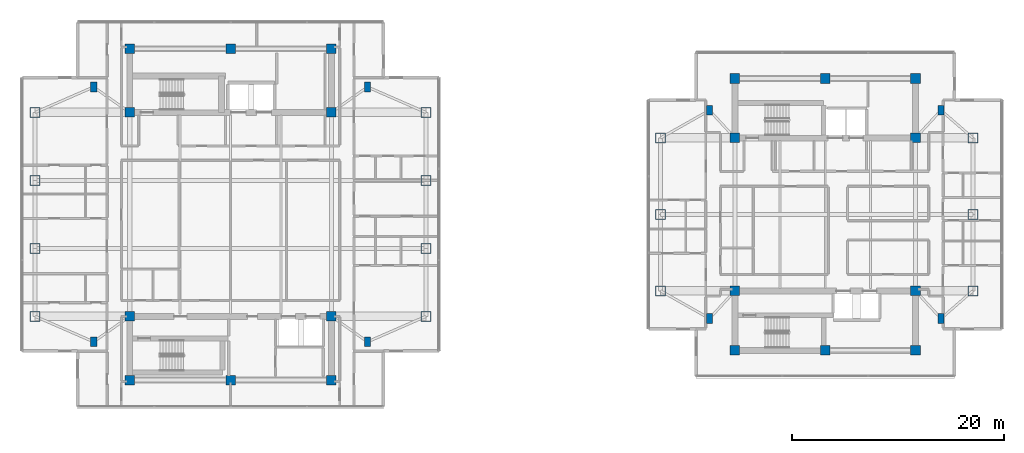
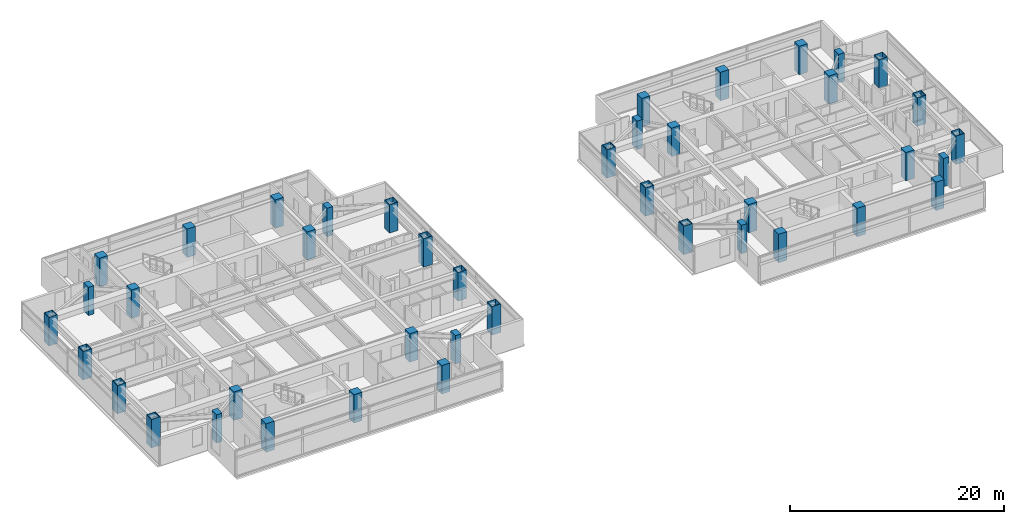
# One storey, part 1 of 24: 42 columns.
"""IFC4 building model written with IfcOpenShell, lengths in metres."""

from ifc_helpers import new_model, si_unit, direction, frame, origin, origin_2d, place, context, subcontext, project, spatial, rectangle, hollow_rectangle, extrude, material, material_profile, profile_set, type_object, element, save


model = new_model("IFC4")

# Units and contexts
model_context = context("Model", 3, precision=1e-05, world=origin(), true_north=direction((0.0, 1.0)))
body_context = subcontext(model_context, "Body", "Model", "MODEL_VIEW")
ifc_project = project(units=[si_unit("LENGTHUNIT", "METRE"), si_unit("AREAUNIT", "SQUARE_METRE"), si_unit("VOLUMEUNIT", "CUBIC_METRE"), si_unit("PLANEANGLEUNIT", "RADIAN"), si_unit("MASSUNIT", "GRAM", prefix="KILO")], contexts=[model_context])

# Site, building, storey
site_placement = place(None, origin())
site = spatial("IfcSite", under=ifc_project, at=site_placement, CompositionType="ELEMENT")
building_placement = place(site_placement, origin())
building = spatial("IfcBuilding", under=site, at=building_placement, Name="Mirazonda Arch Towers", CompositionType="ELEMENT")
storey_placement = place(building_placement, frame((0.0, 0.0, 186.89990234375)))
storey = spatial("IfcBuildingStorey", under=building, at=storey_placement, Name="L53", CompositionType="ELEMENT", Elevation=186.89990234375)

# Columns
ifc_material_1 = material(Name="Concrete C50/60", Category="concrete")
ifc_material_profile_1 = material_profile(ifc_material_1, rectangle(XDim=0.89990234375, YDim=0.89990234375, at=origin_2d()), Name="RC900x900")
ifc_profile_set_1 = profile_set([ifc_material_profile_1], Name="Concrete C50/60")
column_type_1 = type_object("IfcColumnType", Name="COL-INT-RC900x900", PredefinedType="COLUMN", material=ifc_profile_set_1)
for number, where, z_axis, x_axis, name in (
    (1, (11.0, 12.39990234375, 0.0), (0.0, 0.0, 1.0), (1.0, 0.0, 0.0), "L53 T1 Core Column 01"),
    (2, (20.5, 12.39990234375, 0.0), (0.0, 0.0, 1.0), (1.0, 0.0, 0.0), "L53 T1 Core Column 02"),
    (3, (30.0, 12.39990234375, 0.0), (0.0, 0.0, 1.0), (1.0, 0.0, 0.0), "L53 T1 Core Column 03"),
    (4, (11.0, 18.39990234375, 0.0), (0.0, 0.0, 1.0), (1.0, 0.0, 0.0), "L53 T1 Core Column 04"),
    (5, (30.0, 18.39990234375, 0.0), (0.0, 0.0, 1.0), (1.0, 0.0, 0.0), "L53 T1 Core Column 05"),
    (6, (11.0, 37.60009765625, 0.0), (0.0, 0.0, 1.0), (1.0, 0.0, 0.0), "L53 T1 Core Column 06"),
    (7, (30.0, 37.60009765625, 0.0), (0.0, 0.0, 1.0), (1.0, 0.0, 0.0), "L53 T1 Core Column 07"),
    (8, (11.0, 43.60009765625, 0.0), (0.0, 0.0, 1.0), (1.0, 0.0, 0.0), "L53 T1 Core Column 08"),
    (9, (20.5, 43.60009765625, 0.0), (0.0, 0.0, 1.0), (1.0, 0.0, 0.0), "L53 T1 Core Column 09"),
    (10, (30.0, 43.60009765625, 0.0), (0.0, 0.0, 1.0), (1.0, 0.0, 0.0), "L53 T1 Core Column 10"),
    (11, (68.0, 15.199951171875, 0.0), (0.0, 0.0, 1.0), (1.0, 0.0, 0.0), "L53 T2 Core Column 01"),
    (12, (76.5, 15.199951171875, 0.0), (0.0, 0.0, 1.0), (1.0, 0.0, 0.0), "L53 T2 Core Column 02"),
    (13, (85.0, 15.199951171875, 0.0), (0.0, 0.0, 1.0), (1.0, 0.0, 0.0), "L53 T2 Core Column 03"),
    (14, (68.0, 20.800048828125, 0.0), (0.0, 0.0, 1.0), (1.0, 0.0, 0.0), "L53 T2 Core Column 04"),
    (15, (85.0, 20.800048828125, 0.0), (0.0, 0.0, 1.0), (1.0, 0.0, 0.0), "L53 T2 Core Column 05"),
    (16, (68.0, 35.199951171875, 0.0), (0.0, 0.0, 1.0), (1.0, 0.0, 0.0), "L53 T2 Core Column 06"),
    (17, (85.0, 35.199951171875, 0.0), (0.0, 0.0, 1.0), (1.0, 0.0, 0.0), "L53 T2 Core Column 07"),
    (18, (68.0, 40.800048828125, 0.0), (0.0, 0.0, 1.0), (1.0, 0.0, 0.0), "L53 T2 Core Column 08"),
    (19, (76.5, 40.800048828125, 0.0), (0.0, 0.0, 1.0), (1.0, 0.0, 0.0), "L53 T2 Core Column 09"),
    (20, (85.0, 40.800048828125, 0.0), (0.0, 0.0, 1.0), (1.0, 0.0, 0.0), "L53 T2 Core Column 10"),
):
    element("IfcColumn", number, at=place(storey_placement, frame(where, z_axis=z_axis, x_axis=x_axis)), inside=storey, type_object=column_type_1, Name=name, PredefinedType="COLUMN", context=body_context, shape_type="SweptSolid", body=[
        extrude(rectangle(XDim=0.89990234375, YDim=0.89990234375, at=origin_2d()), origin(), (0.0, 0.0, 1.0), 3.25),
    ])
ifc_material_2 = material(Name="Steel ASTM A572 Grade 50", Category="steel")
ifc_material_profile_2 = material_profile(ifc_material_2, hollow_rectangle(XDim=0.949951171875, YDim=0.949951171875, WallThickness=0.050048828125, at=origin_2d()), Name="BOX950x950x50")
ifc_profile_set_2 = profile_set([ifc_material_profile_2], Name="Steel ASTM A572 Grade 50")
column_type_2 = type_object("IfcColumnType", Name="MCOL-EXT-BOX950x950x50", PredefinedType="COLUMN", material=ifc_profile_set_2)
for number, where, z_axis, x_axis, name in (
    (21, (2.10009765625, 18.39990234375, 0.0), (0.0, 0.0, 1.0), (1.0, 0.0, 0.0), "L53 T1 Composite Mega-Column 01"),
    (22, (2.10009765625, 24.800048828125, 0.0), (0.0, 0.0, 1.0), (1.0, 0.0, 0.0), "L53 T1 Composite Mega-Column 02"),
    (23, (2.10009765625, 31.199951171875, 0.0), (0.0, 0.0, 1.0), (1.0, 0.0, 0.0), "L53 T1 Composite Mega-Column 03"),
    (24, (2.10009765625, 37.60009765625, 0.0), (0.0, 0.0, 1.0), (1.0, 0.0, 0.0), "L53 T1 Composite Mega-Column 04"),
    (25, (38.89990234375, 18.39990234375, 0.0), (0.0, 0.0, 1.0), (1.0, 0.0, 0.0), "L53 T1 Composite Mega-Column 05"),
    (26, (38.89990234375, 24.800048828125, 0.0), (0.0, 0.0, 1.0), (1.0, 0.0, 0.0), "L53 T1 Composite Mega-Column 06"),
    (27, (38.89990234375, 31.199951171875, 0.0), (0.0, 0.0, 1.0), (1.0, 0.0, 0.0), "L53 T1 Composite Mega-Column 07"),
    (28, (38.89990234375, 37.60009765625, 0.0), (0.0, 0.0, 1.0), (1.0, 0.0, 0.0), "L53 T1 Composite Mega-Column 08"),
    (29, (61.0, 20.800048828125, 0.0), (0.0, 0.0, 1.0), (1.0, 0.0, 0.0), "L53 T2 Composite Mega-Column 01"),
    (30, (61.0, 28.0, 0.0), (0.0, 0.0, 1.0), (1.0, 0.0, 0.0), "L53 T2 Composite Mega-Column 02"),
    (31, (61.0, 35.199951171875, 0.0), (0.0, 0.0, 1.0), (1.0, 0.0, 0.0), "L53 T2 Composite Mega-Column 03"),
    (32, (90.39990234375, 20.800048828125, 0.0), (0.0, 0.0, 1.0), (1.0, 0.0, 0.0), "L53 T2 Composite Mega-Column 04"),
    (33, (90.39990234375, 28.0, 0.0), (0.0, 0.0, 1.0), (1.0, 0.0, 0.0), "L53 T2 Composite Mega-Column 05"),
    (34, (90.39990234375, 35.199951171875, 0.0), (0.0, 0.0, 1.0), (1.0, 0.0, 0.0), "L53 T2 Composite Mega-Column 06"),
):
    element("IfcColumn", number, at=place(storey_placement, frame(where, z_axis=z_axis, x_axis=x_axis)), inside=storey, type_object=column_type_2, Name=name, PredefinedType="COLUMN", context=body_context, shape_type="SweptSolid", body=[
        extrude(hollow_rectangle(XDim=0.949951171875, YDim=0.949951171875, WallThickness=0.050048828125, at=origin_2d()), origin(), (0.0, 0.0, 1.0), 3.25),
    ])
ifc_material_profile_3 = material_profile(ifc_material_1, rectangle(XDim=0.60009765625, YDim=0.89990234375, at=origin_2d()), Name="RC900x600")
ifc_profile_set_3 = profile_set([ifc_material_profile_3], Name="Concrete C50/60")
column_type_3 = type_object("IfcColumnType", Name="PIL-EXT-RC900x600", PredefinedType="PILASTER", material=ifc_profile_set_3)
for number, where, z_axis, x_axis, name in (
    (35, (7.60009765625, 16.0, 0.0), (0.0, 0.0, 1.0), (1.0, 0.0, 0.0), "L53 T1 Corner Pilaster 01"),
    (36, (33.39990234375, 16.0, 0.0), (0.0, 0.0, 1.0), (1.0, 0.0, 0.0), "L53 T1 Corner Pilaster 02"),
    (37, (7.60009765625, 40.0, 0.0), (0.0, 0.0, 1.0), (1.0, 0.0, 0.0), "L53 T1 Corner Pilaster 03"),
    (38, (33.39990234375, 40.0, 0.0), (0.0, 0.0, 1.0), (1.0, 0.0, 0.0), "L53 T1 Corner Pilaster 04"),
    (39, (65.60009765625, 18.199951171875, 0.0), (0.0, 0.0, 1.0), (1.0, 0.0, 0.0), "L53 T2 Corner Pilaster 01"),
    (40, (87.39990234375, 18.199951171875, 0.0), (0.0, 0.0, 1.0), (1.0, 0.0, 0.0), "L53 T2 Corner Pilaster 02"),
    (41, (65.60009765625, 37.800048828125, 0.0), (0.0, 0.0, 1.0), (1.0, 0.0, 0.0), "L53 T2 Corner Pilaster 03"),
    (42, (87.39990234375, 37.800048828125, 0.0), (0.0, 0.0, 1.0), (1.0, 0.0, 0.0), "L53 T2 Corner Pilaster 04"),
):
    element("IfcColumn", number, at=place(storey_placement, frame(where, z_axis=z_axis, x_axis=x_axis)), inside=storey, type_object=column_type_3, Name=name, PredefinedType="PILASTER", context=body_context, shape_type="SweptSolid", body=[
        extrude(rectangle(XDim=0.60009765625, YDim=0.89990234375, at=origin_2d()), origin(), (0.0, 0.0, 1.0), 3.25),
    ])

save(model, "model.ifc")
